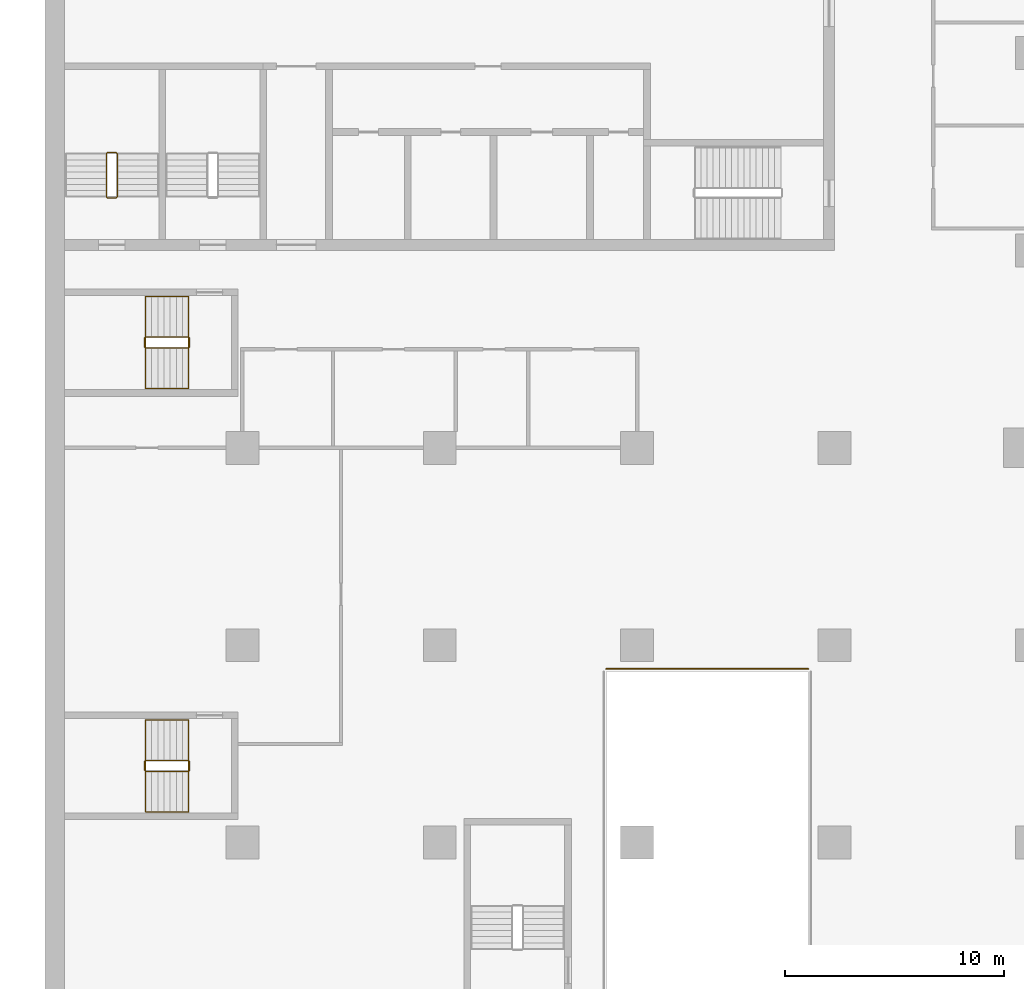
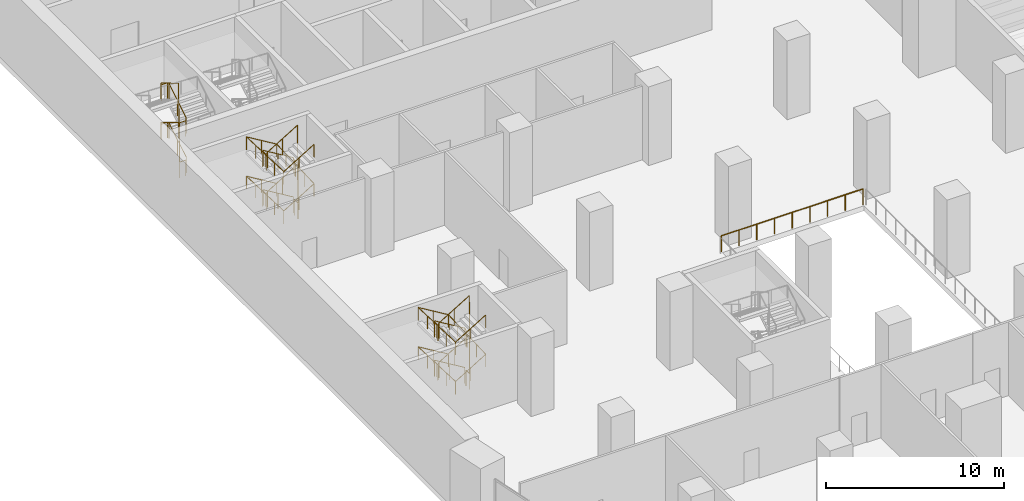
# One storey, part 33 of 44: 6 railings.
"""IFC4 building model written with IfcOpenShell, lengths in metres."""

from ifc_helpers import new_model, si_unit, direction, frame, origin, origin_2d, place, context, subcontext, project, spatial, circle, extrude, material, type_object, element, save


model = new_model("IFC4")

# Units and contexts
model_context = context("Model", 3, precision=1e-05, world=origin(), true_north=direction((0.0, 1.0)))
body_context = subcontext(model_context, "Body", "Model", "MODEL_VIEW")
ifc_project = project(units=[si_unit("LENGTHUNIT", "METRE"), si_unit("AREAUNIT", "SQUARE_METRE"), si_unit("VOLUMEUNIT", "CUBIC_METRE"), si_unit("PLANEANGLEUNIT", "RADIAN"), si_unit("MASSUNIT", "GRAM", prefix="KILO")], contexts=[model_context])

# Site, building, storey
site_placement = place(None, origin())
site = spatial("IfcSite", under=ifc_project, at=site_placement, CompositionType="ELEMENT")
building_placement = place(site_placement, origin())
building = spatial("IfcBuilding", under=site, at=building_placement, Name="Hunhe Ridgeline Campus", CompositionType="ELEMENT")
storey_placement = place(building_placement, frame((0.0, 0.0, 6.0)))
storey = spatial("IfcBuildingStorey", under=building, at=storey_placement, Name="L01", CompositionType="ELEMENT", Elevation=6.0)

# Railings
ifc_material_1 = material(Name="Glass and steel", Category="steel")
railing_type_1 = type_object("IfcRailingType", Name="Atrium glass guard 1100", PredefinedType="GUARDRAIL", material=ifc_material_1)
railing_1_placement = place(storey_placement, frame((34.800048828125, 43.919921875, 0.0)))
element("IfcRailing", 1, at=railing_1_placement, inside=storey, type_object=railing_type_1, Name="L01 atrium guard", PredefinedType="GUARDRAIL", context=body_context, shape_type="SweptSolid", body=[
    extrude(circle(Radius=0.02392578125, at=origin_2d()), frame((0.0, 0.0, 1.076171875), z_axis=(-1.0, 0.0, 0.0), x_axis=(0.0, -1.0, 0.0)), (0.0, 0.0, 1.0), 9.199951171875),
    extrude(circle(Radius=0.02099609375, at=origin_2d()), origin(), (0.0, 0.0, 1.0), 1.052001953125),
    extrude(circle(Radius=0.02099609375, at=origin_2d()), frame((-1.14990234375, 0.0, 0.0)), (0.0, 0.0, 1.0), 1.052001953125),
    extrude(circle(Radius=0.02099609375, at=origin_2d()), frame((-2.300048828125, 0.0, 0.0)), (0.0, 0.0, 1.0), 1.052001953125),
    extrude(circle(Radius=0.02099609375, at=origin_2d()), frame((-3.449951171875, 0.0, 0.0)), (0.0, 0.0, 1.0), 1.052001953125),
    extrude(circle(Radius=0.02099609375, at=origin_2d()), frame((-4.60009765625, 0.0, 0.0)), (0.0, 0.0, 1.0), 1.052001953125),
    extrude(circle(Radius=0.02099609375, at=origin_2d()), frame((-5.75, 0.0, 0.0)), (0.0, 0.0, 1.0), 1.052001953125),
    extrude(circle(Radius=0.02099609375, at=origin_2d()), frame((-6.89990234375, 0.0, 0.0)), (0.0, 0.0, 1.0), 1.052001953125),
    extrude(circle(Radius=0.02099609375, at=origin_2d()), frame((-8.050048828125, 0.0, 0.0)), (0.0, 0.0, 1.0), 1.052001953125),
    extrude(circle(Radius=0.02099609375, at=origin_2d()), frame((-9.199951171875, 0.0, 0.0)), (0.0, 0.0, 1.0), 1.052001953125),
])
ifc_material_2 = material(Name="Stainless steel balustrade", Category="steel")
railing_type_2 = type_object("IfcRailingType", Name="Stair guard 1100 stainless", PredefinedType="GUARDRAIL", material=ifc_material_2)
railing_2_placement = place(storey_placement, frame((3.300048828125, 65.449951171875, 0.168701171875)))
element("IfcRailing", 2, at=railing_2_placement, inside=storey, type_object=railing_type_2, Name="L01 stair S3 guard", PredefinedType="GUARDRAIL", context=body_context, shape_type="SweptSolid", body=[
    extrude(circle(Radius=0.02392578125, at=origin_2d()), frame((0.0, 0.0, 1.076171875), z_axis=(0.0, 0.856446297458, 0.516236127728), x_axis=(-1.0, 0.0, 0.0)), (0.0, 0.0, 1.0), 2.28857421875),
    extrude(circle(Radius=0.02392578125, at=origin_2d()), frame((0.0, 1.9599609375, 2.25732421875), z_axis=(-0.707106781187, 0.707106781187, 0.0), x_axis=(-0.707106781187, -0.707106781187, 0.0)), (0.0, 0.0, 1.0), 0.07080078125),
    extrude(circle(Radius=0.02392578125, at=origin_2d()), frame((-0.050048828125, 2.010009765625, 2.25732421875), z_axis=(-1.0, 0.0, 0.0), x_axis=(0.0, -1.0, 0.0)), (0.0, 0.0, 1.0), 0.39990234375),
    extrude(circle(Radius=0.02392578125, at=origin_2d()), frame((-0.449951171875, 2.010009765625, 2.25732421875), z_axis=(-0.273569069059, -0.273569069059, 0.922127935218), x_axis=(0.707106781187, -0.707106781187, 0.0)), (0.0, 0.0, 1.0), 0.182861328125),
    extrude(circle(Radius=0.02392578125, at=origin_2d()), frame((-0.5, 1.9599609375, 2.42626953125), z_axis=(0.0, -0.856493463811, 0.516157869696), x_axis=(1.0, 0.0, 0.0)), (0.0, 0.0, 1.0), 2.288330078125),
    extrude(circle(Radius=0.02392578125, at=origin_2d()), frame((-0.5, 0.0, 3.607421875), z_axis=(0.707106781187, -0.707106781187, 0.0), x_axis=(0.707106781187, 0.707106781187, 0.0)), (0.0, 0.0, 1.0), 0.07080078125),
    extrude(circle(Radius=0.02392578125, at=origin_2d()), frame((-0.449951171875, -0.050048828125, 3.607421875), z_axis=(1.0, 0.0, 0.0), x_axis=(0.0, 1.0, 0.0)), (0.0, 0.0, 1.0), 0.39990234375),
    extrude(circle(Radius=0.02392578125, at=origin_2d()), frame((-0.050048828125, -0.050048828125, 3.607421875), z_axis=(0.273569069059, 0.273569069059, 0.922127935218), x_axis=(-0.707106781187, 0.707106781187, 0.0)), (0.0, 0.0, 1.0), 0.182861328125),
    extrude(circle(Radius=0.02392578125, at=origin_2d()), frame((0.0, 0.0, 3.77587890625), z_axis=(0.0, 0.856446297458, 0.516236127728), x_axis=(-1.0, 0.0, 0.0)), (0.0, 0.0, 1.0), 2.28857421875),
    extrude(circle(Radius=0.02392578125, at=origin_2d()), frame((0.0, 1.9599609375, 4.95751953125), z_axis=(-0.707106781187, 0.707106781187, 0.0), x_axis=(-0.707106781187, -0.707106781187, 0.0)), (0.0, 0.0, 1.0), 0.07080078125),
    extrude(circle(Radius=0.02392578125, at=origin_2d()), frame((-0.050048828125, 2.010009765625, 4.95751953125), z_axis=(-1.0, 0.0, 0.0), x_axis=(0.0, -1.0, 0.0)), (0.0, 0.0, 1.0), 0.39990234375),
    extrude(circle(Radius=0.02392578125, at=origin_2d()), frame((-0.449951171875, 2.010009765625, 4.95751953125), z_axis=(-0.273569069059, -0.273569069059, 0.922127935218), x_axis=(0.707106781187, -0.707106781187, 0.0)), (0.0, 0.0, 1.0), 0.182861328125),
    extrude(circle(Radius=0.02392578125, at=origin_2d()), frame((-0.5, 1.9599609375, 5.1259765625), z_axis=(0.0, -0.856493463811, 0.516157869696), x_axis=(1.0, 0.0, 0.0)), (0.0, 0.0, 1.0), 2.288330078125),
    extrude(circle(Radius=0.02392578125, at=origin_2d()), frame((-0.5, 0.0, 6.30712890625), z_axis=(0.009267673019, -0.009267673019, -0.999914106548), x_axis=(1.0, 0.0, 0.0)), (0.0, 0.0, 1.0), 5.400390625),
    extrude(circle(Radius=0.02392578125, at=origin_2d()), frame((-0.449951171875, -0.050048828125, 0.9072265625), z_axis=(1.0, 0.0, 0.0), x_axis=(0.0, 1.0, 0.0)), (0.0, 0.0, 1.0), 0.39990234375),
    extrude(circle(Radius=0.02099609375, at=origin_2d()), origin(), (0.0, 0.0, 1.0), 1.052001953125),
    extrude(circle(Radius=0.02099609375, at=origin_2d()), frame((0.0, 0.97998046875, 0.5908203125)), (0.0, 0.0, 1.0), 1.052001953125),
    extrude(circle(Radius=0.02099609375, at=origin_2d()), frame((0.0, 1.9599609375, 1.181396484375)), (0.0, 0.0, 1.0), 1.052001953125),
    extrude(circle(Radius=0.02099609375, at=origin_2d()), frame((-0.050048828125, 2.010009765625, 1.181396484375)), (0.0, 0.0, 1.0), 1.052001953125),
    extrude(circle(Radius=0.02099609375, at=origin_2d()), frame((-0.449951171875, 2.010009765625, 1.181396484375)), (0.0, 0.0, 1.0), 1.052001953125),
    extrude(circle(Radius=0.02099609375, at=origin_2d()), frame((-0.5, 1.9599609375, 1.35009765625)), (0.0, 0.0, 1.0), 1.052001953125),
    extrude(circle(Radius=0.02099609375, at=origin_2d()), frame((-0.5, 0.97998046875, 1.940673828125)), (0.0, 0.0, 1.0), 1.052001953125),
    extrude(circle(Radius=0.02099609375, at=origin_2d()), frame((-0.5, 0.0, 2.53125)), (0.0, 0.0, 1.0), 1.052001953125),
    extrude(circle(Radius=0.02099609375, at=origin_2d()), frame((-0.449951171875, -0.050048828125, 2.53125)), (0.0, 0.0, 1.0), 1.052001953125),
    extrude(circle(Radius=0.02099609375, at=origin_2d()), frame((-0.050048828125, -0.050048828125, 2.53125)), (0.0, 0.0, 1.0), 1.052001953125),
    extrude(circle(Radius=0.02099609375, at=origin_2d()), frame((0.0, 0.0, 2.699951171875)), (0.0, 0.0, 1.0), 1.052001953125),
    extrude(circle(Radius=0.02099609375, at=origin_2d()), frame((0.0, 0.97998046875, 3.29052734375)), (0.0, 0.0, 1.0), 1.052001953125),
    extrude(circle(Radius=0.02099609375, at=origin_2d()), frame((0.0, 1.9599609375, 3.88134765625)), (0.0, 0.0, 1.0), 1.052001953125),
    extrude(circle(Radius=0.02099609375, at=origin_2d()), frame((-0.050048828125, 2.010009765625, 3.88134765625)), (0.0, 0.0, 1.0), 1.052001953125),
    extrude(circle(Radius=0.02099609375, at=origin_2d()), frame((-0.449951171875, 2.010009765625, 3.88134765625)), (0.0, 0.0, 1.0), 1.052001953125),
    extrude(circle(Radius=0.02099609375, at=origin_2d()), frame((-0.5, 1.9599609375, 4.050048828125)), (0.0, 0.0, 1.0), 1.052001953125),
    extrude(circle(Radius=0.02099609375, at=origin_2d()), frame((-0.5, 0.97998046875, 4.640625)), (0.0, 0.0, 1.0), 1.052001953125),
    extrude(circle(Radius=0.02099609375, at=origin_2d()), frame((-0.5, 0.0, 5.231201171875)), (0.0, 0.0, 1.0), 1.052001953125),
    extrude(circle(Radius=0.02099609375, at=origin_2d()), frame((-0.489990234375, -0.010009765625, 4.151123046875)), (0.0, 0.0, 1.0), 1.052001953125),
    extrude(circle(Radius=0.02099609375, at=origin_2d()), frame((-0.47998046875, -0.02001953125, 3.0712890625)), (0.0, 0.0, 1.0), 1.052001953125),
    extrude(circle(Radius=0.02099609375, at=origin_2d()), frame((-0.469970703125, -0.030029296875, 1.9912109375)), (0.0, 0.0, 1.0), 1.052001953125),
    extrude(circle(Radius=0.02099609375, at=origin_2d()), frame((-0.4599609375, -0.0400390625, 0.911376953125)), (0.0, 0.0, 1.0), 1.052001953125),
    extrude(circle(Radius=0.02099609375, at=origin_2d()), frame((-0.449951171875, -0.050048828125, -0.168701171875)), (0.0, 0.0, 1.0), 1.052001953125),
    extrude(circle(Radius=0.02099609375, at=origin_2d()), frame((-0.050048828125, -0.050048828125, -0.168701171875)), (0.0, 0.0, 1.0), 1.052001953125),
])
railing_3_placement = place(storey_placement, frame((6.550048828125, 39.75, 0.168701171875)))
element("IfcRailing", 3, at=railing_3_placement, inside=storey, type_object=railing_type_2, Name="L01 stair W1 guard", PredefinedType="GUARDRAIL", context=body_context, shape_type="SweptSolid", body=[
    extrude(circle(Radius=0.02392578125, at=origin_2d()), frame((0.0, 0.0, 1.076171875), z_axis=(-0.856446297458, 0.0, 0.516236127728), x_axis=(0.0, -1.0, 0.0)), (0.0, 0.0, 1.0), 2.28857421875),
    extrude(circle(Radius=0.02392578125, at=origin_2d()), frame((-1.9599609375, 0.0, 2.25732421875), z_axis=(-0.707106781187, -0.707106781187, 0.0), x_axis=(0.707106781187, -0.707106781187, 0.0)), (0.0, 0.0, 1.0), 0.07080078125),
    extrude(circle(Radius=0.02392578125, at=origin_2d()), frame((-2.010009765625, -0.050048828125, 2.25732421875), z_axis=(0.0, -1.0, 0.0), x_axis=(1.0, 0.0, 0.0)), (0.0, 0.0, 1.0), 0.39990234375),
    extrude(circle(Radius=0.02392578125, at=origin_2d()), frame((-2.010009765625, -0.449951171875, 2.25732421875), z_axis=(0.273569069059, -0.273569069059, 0.922127935218), x_axis=(0.707106781187, 0.707106781187, 0.0)), (0.0, 0.0, 1.0), 0.182861328125),
    extrude(circle(Radius=0.02392578125, at=origin_2d()), frame((-1.9599609375, -0.5, 2.42626953125), z_axis=(0.856493463811, 0.0, 0.516157869696), x_axis=(0.0, 1.0, 0.0)), (0.0, 0.0, 1.0), 2.288330078125),
    extrude(circle(Radius=0.02392578125, at=origin_2d()), frame((0.0, -0.5, 3.607421875), z_axis=(0.707106781187, 0.707106781187, 0.0), x_axis=(-0.707106781187, 0.707106781187, 0.0)), (0.0, 0.0, 1.0), 0.07080078125),
    extrude(circle(Radius=0.02392578125, at=origin_2d()), frame((0.050048828125, -0.449951171875, 3.607421875), z_axis=(0.0, 1.0, 0.0), x_axis=(-1.0, 0.0, 0.0)), (0.0, 0.0, 1.0), 0.39990234375),
    extrude(circle(Radius=0.02392578125, at=origin_2d()), frame((0.050048828125, -0.050048828125, 3.607421875), z_axis=(-0.273569069059, 0.273569069059, 0.922127935218), x_axis=(-0.707106781187, -0.707106781187, 0.0)), (0.0, 0.0, 1.0), 0.182861328125),
    extrude(circle(Radius=0.02392578125, at=origin_2d()), frame((0.0, 0.0, 3.77587890625), z_axis=(-0.856446297458, 0.0, 0.516236127728), x_axis=(0.0, -1.0, 0.0)), (0.0, 0.0, 1.0), 2.28857421875),
    extrude(circle(Radius=0.02392578125, at=origin_2d()), frame((-1.9599609375, 0.0, 4.95751953125), z_axis=(-0.707106781187, -0.707106781187, 0.0), x_axis=(0.707106781187, -0.707106781187, 0.0)), (0.0, 0.0, 1.0), 0.07080078125),
    extrude(circle(Radius=0.02392578125, at=origin_2d()), frame((-2.010009765625, -0.050048828125, 4.95751953125), z_axis=(0.0, -1.0, 0.0), x_axis=(1.0, 0.0, 0.0)), (0.0, 0.0, 1.0), 0.39990234375),
    extrude(circle(Radius=0.02392578125, at=origin_2d()), frame((-2.010009765625, -0.449951171875, 4.95751953125), z_axis=(0.273569069059, -0.273569069059, 0.922127935218), x_axis=(0.707106781187, 0.707106781187, 0.0)), (0.0, 0.0, 1.0), 0.182861328125),
    extrude(circle(Radius=0.02392578125, at=origin_2d()), frame((-1.9599609375, -0.5, 5.1259765625), z_axis=(0.856493463811, 0.0, 0.516157869696), x_axis=(0.0, 1.0, 0.0)), (0.0, 0.0, 1.0), 2.288330078125),
    extrude(circle(Radius=0.02392578125, at=origin_2d()), frame((0.0, -0.5, 6.30712890625), z_axis=(0.009267673019, 0.009267673019, -0.999914106548), x_axis=(1.0, 0.0, 0.0)), (0.0, 0.0, 1.0), 5.400390625),
    extrude(circle(Radius=0.02392578125, at=origin_2d()), frame((0.050048828125, -0.449951171875, 0.9072265625), z_axis=(0.0, 1.0, 0.0), x_axis=(-1.0, 0.0, 0.0)), (0.0, 0.0, 1.0), 0.39990234375),
    extrude(circle(Radius=0.02099609375, at=origin_2d()), origin(), (0.0, 0.0, 1.0), 1.052001953125),
    extrude(circle(Radius=0.02099609375, at=origin_2d()), frame((-0.97998046875, 0.0, 0.5908203125)), (0.0, 0.0, 1.0), 1.052001953125),
    extrude(circle(Radius=0.02099609375, at=origin_2d()), frame((-1.9599609375, 0.0, 1.181396484375)), (0.0, 0.0, 1.0), 1.052001953125),
    extrude(circle(Radius=0.02099609375, at=origin_2d()), frame((-2.010009765625, -0.050048828125, 1.181396484375)), (0.0, 0.0, 1.0), 1.052001953125),
    extrude(circle(Radius=0.02099609375, at=origin_2d()), frame((-2.010009765625, -0.449951171875, 1.181396484375)), (0.0, 0.0, 1.0), 1.052001953125),
    extrude(circle(Radius=0.02099609375, at=origin_2d()), frame((-1.9599609375, -0.5, 1.35009765625)), (0.0, 0.0, 1.0), 1.052001953125),
    extrude(circle(Radius=0.02099609375, at=origin_2d()), frame((-0.97998046875, -0.5, 1.940673828125)), (0.0, 0.0, 1.0), 1.052001953125),
    extrude(circle(Radius=0.02099609375, at=origin_2d()), frame((0.0, -0.5, 2.53125)), (0.0, 0.0, 1.0), 1.052001953125),
    extrude(circle(Radius=0.02099609375, at=origin_2d()), frame((0.050048828125, -0.449951171875, 2.53125)), (0.0, 0.0, 1.0), 1.052001953125),
    extrude(circle(Radius=0.02099609375, at=origin_2d()), frame((0.050048828125, -0.050048828125, 2.53125)), (0.0, 0.0, 1.0), 1.052001953125),
    extrude(circle(Radius=0.02099609375, at=origin_2d()), frame((0.0, 0.0, 2.699951171875)), (0.0, 0.0, 1.0), 1.052001953125),
    extrude(circle(Radius=0.02099609375, at=origin_2d()), frame((-0.97998046875, 0.0, 3.29052734375)), (0.0, 0.0, 1.0), 1.052001953125),
    extrude(circle(Radius=0.02099609375, at=origin_2d()), frame((-1.9599609375, 0.0, 3.88134765625)), (0.0, 0.0, 1.0), 1.052001953125),
    extrude(circle(Radius=0.02099609375, at=origin_2d()), frame((-2.010009765625, -0.050048828125, 3.88134765625)), (0.0, 0.0, 1.0), 1.052001953125),
    extrude(circle(Radius=0.02099609375, at=origin_2d()), frame((-2.010009765625, -0.449951171875, 3.88134765625)), (0.0, 0.0, 1.0), 1.052001953125),
    extrude(circle(Radius=0.02099609375, at=origin_2d()), frame((-1.9599609375, -0.5, 4.050048828125)), (0.0, 0.0, 1.0), 1.052001953125),
    extrude(circle(Radius=0.02099609375, at=origin_2d()), frame((-0.97998046875, -0.5, 4.640625)), (0.0, 0.0, 1.0), 1.052001953125),
    extrude(circle(Radius=0.02099609375, at=origin_2d()), frame((0.0, -0.5, 5.231201171875)), (0.0, 0.0, 1.0), 1.052001953125),
    extrude(circle(Radius=0.02099609375, at=origin_2d()), frame((0.010009765625, -0.489990234375, 4.151123046875)), (0.0, 0.0, 1.0), 1.052001953125),
    extrude(circle(Radius=0.02099609375, at=origin_2d()), frame((0.02001953125, -0.47998046875, 3.0712890625)), (0.0, 0.0, 1.0), 1.052001953125),
    extrude(circle(Radius=0.02099609375, at=origin_2d()), frame((0.030029296875, -0.469970703125, 1.9912109375)), (0.0, 0.0, 1.0), 1.052001953125),
    extrude(circle(Radius=0.02099609375, at=origin_2d()), frame((0.0400390625, -0.4599609375, 0.911376953125)), (0.0, 0.0, 1.0), 1.052001953125),
    extrude(circle(Radius=0.02099609375, at=origin_2d()), frame((0.050048828125, -0.449951171875, -0.168701171875)), (0.0, 0.0, 1.0), 1.052001953125),
    extrude(circle(Radius=0.02099609375, at=origin_2d()), frame((0.050048828125, -0.050048828125, -0.168701171875)), (0.0, 0.0, 1.0), 1.052001953125),
])
railing_4_placement = place(storey_placement, frame((6.550048828125, 59.050048828125, 0.168701171875)))
element("IfcRailing", 4, at=railing_4_placement, inside=storey, type_object=railing_type_2, Name="L01 stair W2 guard", PredefinedType="GUARDRAIL", context=body_context, shape_type="SweptSolid", body=[
    extrude(circle(Radius=0.02392578125, at=origin_2d()), frame((0.0, 0.0, 1.076171875), z_axis=(-0.856446297458, 0.0, 0.516236127728), x_axis=(0.0, -1.0, 0.0)), (0.0, 0.0, 1.0), 2.28857421875),
    extrude(circle(Radius=0.02392578125, at=origin_2d()), frame((-1.9599609375, 0.0, 2.25732421875), z_axis=(-0.707106781187, -0.707106781187, 0.0), x_axis=(0.707106781187, -0.707106781187, 0.0)), (0.0, 0.0, 1.0), 0.07080078125),
    extrude(circle(Radius=0.02392578125, at=origin_2d()), frame((-2.010009765625, -0.050048828125, 2.25732421875), z_axis=(0.0, -1.0, 0.0), x_axis=(1.0, 0.0, 0.0)), (0.0, 0.0, 1.0), 0.39990234375),
    extrude(circle(Radius=0.02392578125, at=origin_2d()), frame((-2.010009765625, -0.449951171875, 2.25732421875), z_axis=(0.273569069059, -0.273569069059, 0.922127935218), x_axis=(0.707106781187, 0.707106781187, 0.0)), (0.0, 0.0, 1.0), 0.182861328125),
    extrude(circle(Radius=0.02392578125, at=origin_2d()), frame((-1.9599609375, -0.5, 2.42626953125), z_axis=(0.856493463811, 0.0, 0.516157869696), x_axis=(0.0, 1.0, 0.0)), (0.0, 0.0, 1.0), 2.288330078125),
    extrude(circle(Radius=0.02392578125, at=origin_2d()), frame((0.0, -0.5, 3.607421875), z_axis=(0.707106781187, 0.707106781187, 0.0), x_axis=(-0.707106781187, 0.707106781187, 0.0)), (0.0, 0.0, 1.0), 0.07080078125),
    extrude(circle(Radius=0.02392578125, at=origin_2d()), frame((0.050048828125, -0.449951171875, 3.607421875), z_axis=(0.0, 1.0, 0.0), x_axis=(-1.0, 0.0, 0.0)), (0.0, 0.0, 1.0), 0.39990234375),
    extrude(circle(Radius=0.02392578125, at=origin_2d()), frame((0.050048828125, -0.050048828125, 3.607421875), z_axis=(-0.273569069059, 0.273569069059, 0.922127935218), x_axis=(-0.707106781187, -0.707106781187, 0.0)), (0.0, 0.0, 1.0), 0.182861328125),
    extrude(circle(Radius=0.02392578125, at=origin_2d()), frame((0.0, 0.0, 3.77587890625), z_axis=(-0.856446297458, 0.0, 0.516236127728), x_axis=(0.0, -1.0, 0.0)), (0.0, 0.0, 1.0), 2.28857421875),
    extrude(circle(Radius=0.02392578125, at=origin_2d()), frame((-1.9599609375, 0.0, 4.95751953125), z_axis=(-0.707106781187, -0.707106781187, 0.0), x_axis=(0.707106781187, -0.707106781187, 0.0)), (0.0, 0.0, 1.0), 0.07080078125),
    extrude(circle(Radius=0.02392578125, at=origin_2d()), frame((-2.010009765625, -0.050048828125, 4.95751953125), z_axis=(0.0, -1.0, 0.0), x_axis=(1.0, 0.0, 0.0)), (0.0, 0.0, 1.0), 0.39990234375),
    extrude(circle(Radius=0.02392578125, at=origin_2d()), frame((-2.010009765625, -0.449951171875, 4.95751953125), z_axis=(0.273569069059, -0.273569069059, 0.922127935218), x_axis=(0.707106781187, 0.707106781187, 0.0)), (0.0, 0.0, 1.0), 0.182861328125),
    extrude(circle(Radius=0.02392578125, at=origin_2d()), frame((-1.9599609375, -0.5, 5.1259765625), z_axis=(0.856493463811, 0.0, 0.516157869696), x_axis=(0.0, 1.0, 0.0)), (0.0, 0.0, 1.0), 2.288330078125),
    extrude(circle(Radius=0.02392578125, at=origin_2d()), frame((0.0, -0.5, 6.30712890625), z_axis=(0.009267673019, 0.009267673019, -0.999914106548), x_axis=(1.0, 0.0, 0.0)), (0.0, 0.0, 1.0), 5.400390625),
    extrude(circle(Radius=0.02392578125, at=origin_2d()), frame((0.050048828125, -0.449951171875, 0.9072265625), z_axis=(0.0, 1.0, 0.0), x_axis=(-1.0, 0.0, 0.0)), (0.0, 0.0, 1.0), 0.39990234375),
    extrude(circle(Radius=0.02099609375, at=origin_2d()), origin(), (0.0, 0.0, 1.0), 1.052001953125),
    extrude(circle(Radius=0.02099609375, at=origin_2d()), frame((-0.97998046875, 0.0, 0.5908203125)), (0.0, 0.0, 1.0), 1.052001953125),
    extrude(circle(Radius=0.02099609375, at=origin_2d()), frame((-1.9599609375, 0.0, 1.181396484375)), (0.0, 0.0, 1.0), 1.052001953125),
    extrude(circle(Radius=0.02099609375, at=origin_2d()), frame((-2.010009765625, -0.050048828125, 1.181396484375)), (0.0, 0.0, 1.0), 1.052001953125),
    extrude(circle(Radius=0.02099609375, at=origin_2d()), frame((-2.010009765625, -0.449951171875, 1.181396484375)), (0.0, 0.0, 1.0), 1.052001953125),
    extrude(circle(Radius=0.02099609375, at=origin_2d()), frame((-1.9599609375, -0.5, 1.35009765625)), (0.0, 0.0, 1.0), 1.052001953125),
    extrude(circle(Radius=0.02099609375, at=origin_2d()), frame((-0.97998046875, -0.5, 1.940673828125)), (0.0, 0.0, 1.0), 1.052001953125),
    extrude(circle(Radius=0.02099609375, at=origin_2d()), frame((0.0, -0.5, 2.53125)), (0.0, 0.0, 1.0), 1.052001953125),
    extrude(circle(Radius=0.02099609375, at=origin_2d()), frame((0.050048828125, -0.449951171875, 2.53125)), (0.0, 0.0, 1.0), 1.052001953125),
    extrude(circle(Radius=0.02099609375, at=origin_2d()), frame((0.050048828125, -0.050048828125, 2.53125)), (0.0, 0.0, 1.0), 1.052001953125),
    extrude(circle(Radius=0.02099609375, at=origin_2d()), frame((0.0, 0.0, 2.699951171875)), (0.0, 0.0, 1.0), 1.052001953125),
    extrude(circle(Radius=0.02099609375, at=origin_2d()), frame((-0.97998046875, 0.0, 3.29052734375)), (0.0, 0.0, 1.0), 1.052001953125),
    extrude(circle(Radius=0.02099609375, at=origin_2d()), frame((-1.9599609375, 0.0, 3.88134765625)), (0.0, 0.0, 1.0), 1.052001953125),
    extrude(circle(Radius=0.02099609375, at=origin_2d()), frame((-2.010009765625, -0.050048828125, 3.88134765625)), (0.0, 0.0, 1.0), 1.052001953125),
    extrude(circle(Radius=0.02099609375, at=origin_2d()), frame((-2.010009765625, -0.449951171875, 3.88134765625)), (0.0, 0.0, 1.0), 1.052001953125),
    extrude(circle(Radius=0.02099609375, at=origin_2d()), frame((-1.9599609375, -0.5, 4.050048828125)), (0.0, 0.0, 1.0), 1.052001953125),
    extrude(circle(Radius=0.02099609375, at=origin_2d()), frame((-0.97998046875, -0.5, 4.640625)), (0.0, 0.0, 1.0), 1.052001953125),
    extrude(circle(Radius=0.02099609375, at=origin_2d()), frame((0.0, -0.5, 5.231201171875)), (0.0, 0.0, 1.0), 1.052001953125),
    extrude(circle(Radius=0.02099609375, at=origin_2d()), frame((0.010009765625, -0.489990234375, 4.151123046875)), (0.0, 0.0, 1.0), 1.052001953125),
    extrude(circle(Radius=0.02099609375, at=origin_2d()), frame((0.02001953125, -0.47998046875, 3.0712890625)), (0.0, 0.0, 1.0), 1.052001953125),
    extrude(circle(Radius=0.02099609375, at=origin_2d()), frame((0.030029296875, -0.469970703125, 1.9912109375)), (0.0, 0.0, 1.0), 1.052001953125),
    extrude(circle(Radius=0.02099609375, at=origin_2d()), frame((0.0400390625, -0.4599609375, 0.911376953125)), (0.0, 0.0, 1.0), 1.052001953125),
    extrude(circle(Radius=0.02099609375, at=origin_2d()), frame((0.050048828125, -0.449951171875, -0.168701171875)), (0.0, 0.0, 1.0), 1.052001953125),
    extrude(circle(Radius=0.02099609375, at=origin_2d()), frame((0.050048828125, -0.050048828125, -0.168701171875)), (0.0, 0.0, 1.0), 1.052001953125),
])
ifc_material_3 = material(Name="Stainless steel handrail", Category="steel")
railing_type_3 = type_object("IfcRailingType", Name="Stair handrail 900 stainless", PredefinedType="HANDRAIL", material=ifc_material_3)
railing_5_placement = place(storey_placement, frame((6.550048828125, 41.60009765625, 0.168701171875)))
element("IfcRailing", 5, at=railing_5_placement, inside=storey, type_object=railing_type_3, Name="L01 stair W1 handrail", PredefinedType="HANDRAIL", context=body_context, shape_type="SweptSolid", body=[
    extrude(circle(Radius=0.02392578125, at=origin_2d()), frame((0.0, 0.0, 0.8759765625), z_axis=(-0.856446297458, 0.0, 0.516236127728), x_axis=(0.0, -1.0, 0.0)), (0.0, 0.0, 1.0), 2.28857421875),
    extrude(circle(Radius=0.02392578125, at=origin_2d()), frame((-1.9599609375, 0.0, 2.05712890625), z_axis=(0.0, -0.999194357895, 0.040132719211), x_axis=(1.0, 0.0, 0.0)), (0.0, 0.0, 1.0), 4.20361328125),
    extrude(circle(Radius=0.02392578125, at=origin_2d()), frame((-1.9599609375, -4.2001953125, 2.22607421875), z_axis=(0.856493463811, 0.0, 0.516157869696), x_axis=(0.0, 1.0, 0.0)), (0.0, 0.0, 1.0), 2.288330078125),
    extrude(circle(Radius=0.02392578125, at=origin_2d()), frame((0.0, -4.2001953125, 3.4072265625), z_axis=(0.0, 0.999194357895, 0.040132719211), x_axis=(-1.0, 0.0, 0.0)), (0.0, 0.0, 1.0), 4.20361328125),
    extrude(circle(Radius=0.02392578125, at=origin_2d()), frame((0.0, 0.0, 3.57568359375), z_axis=(-0.856446297458, 0.0, 0.516236127728), x_axis=(0.0, -1.0, 0.0)), (0.0, 0.0, 1.0), 2.28857421875),
    extrude(circle(Radius=0.02392578125, at=origin_2d()), frame((-1.9599609375, 0.0, 4.75732421875), z_axis=(0.0, -0.999194357895, 0.040132719211), x_axis=(1.0, 0.0, 0.0)), (0.0, 0.0, 1.0), 4.20361328125),
    extrude(circle(Radius=0.02392578125, at=origin_2d()), frame((-1.9599609375, -4.2001953125, 4.92578125), z_axis=(0.856493463811, 0.0, 0.516157869696), x_axis=(0.0, 1.0, 0.0)), (0.0, 0.0, 1.0), 2.288330078125),
    extrude(circle(Radius=0.02099609375, at=origin_2d()), origin(), (0.0, 0.0, 1.0), 0.851806640625),
    extrude(circle(Radius=0.02099609375, at=origin_2d()), frame((-0.97998046875, 0.0, 0.5908203125)), (0.0, 0.0, 1.0), 0.851806640625),
    extrude(circle(Radius=0.02099609375, at=origin_2d()), frame((-1.9599609375, 0.0, 1.181396484375)), (0.0, 0.0, 1.0), 0.851806640625),
    extrude(circle(Radius=0.02099609375, at=origin_2d()), frame((-1.9599609375, -1.050048828125, 1.2236328125)), (0.0, 0.0, 1.0), 0.851806640625),
    extrude(circle(Radius=0.02099609375, at=origin_2d()), frame((-1.9599609375, -2.10009765625, 1.265625)), (0.0, 0.0, 1.0), 0.851806640625),
    extrude(circle(Radius=0.02099609375, at=origin_2d()), frame((-1.9599609375, -3.150146484375, 1.307861328125)), (0.0, 0.0, 1.0), 0.851806640625),
    extrude(circle(Radius=0.02099609375, at=origin_2d()), frame((-1.9599609375, -4.2001953125, 1.35009765625)), (0.0, 0.0, 1.0), 0.851806640625),
    extrude(circle(Radius=0.02099609375, at=origin_2d()), frame((-0.97998046875, -4.2001953125, 1.940673828125)), (0.0, 0.0, 1.0), 0.851806640625),
    extrude(circle(Radius=0.02099609375, at=origin_2d()), frame((0.0, -4.2001953125, 2.53125)), (0.0, 0.0, 1.0), 0.851806640625),
    extrude(circle(Radius=0.02099609375, at=origin_2d()), frame((0.0, -3.150146484375, 2.573486328125)), (0.0, 0.0, 1.0), 0.851806640625),
    extrude(circle(Radius=0.02099609375, at=origin_2d()), frame((0.0, -2.10009765625, 2.61572265625)), (0.0, 0.0, 1.0), 0.851806640625),
    extrude(circle(Radius=0.02099609375, at=origin_2d()), frame((0.0, -1.050048828125, 2.65771484375)), (0.0, 0.0, 1.0), 0.851806640625),
    extrude(circle(Radius=0.02099609375, at=origin_2d()), frame((0.0, 0.0, 2.699951171875)), (0.0, 0.0, 1.0), 0.851806640625),
    extrude(circle(Radius=0.02099609375, at=origin_2d()), frame((-0.97998046875, 0.0, 3.29052734375)), (0.0, 0.0, 1.0), 0.851806640625),
    extrude(circle(Radius=0.02099609375, at=origin_2d()), frame((-1.9599609375, 0.0, 3.88134765625)), (0.0, 0.0, 1.0), 0.851806640625),
    extrude(circle(Radius=0.02099609375, at=origin_2d()), frame((-1.9599609375, -1.050048828125, 3.923583984375)), (0.0, 0.0, 1.0), 0.851806640625),
    extrude(circle(Radius=0.02099609375, at=origin_2d()), frame((-1.9599609375, -2.10009765625, 3.9658203125)), (0.0, 0.0, 1.0), 0.851806640625),
    extrude(circle(Radius=0.02099609375, at=origin_2d()), frame((-1.9599609375, -3.150146484375, 4.0078125)), (0.0, 0.0, 1.0), 0.851806640625),
    extrude(circle(Radius=0.02099609375, at=origin_2d()), frame((-1.9599609375, -4.2001953125, 4.050048828125)), (0.0, 0.0, 1.0), 0.851806640625),
    extrude(circle(Radius=0.02099609375, at=origin_2d()), frame((-0.97998046875, -4.2001953125, 4.640625)), (0.0, 0.0, 1.0), 0.851806640625),
    extrude(circle(Radius=0.02099609375, at=origin_2d()), frame((0.0, -4.2001953125, 5.231201171875)), (0.0, 0.0, 1.0), 0.851806640625),
])
railing_6_placement = place(storey_placement, frame((6.550048828125, 60.89990234375, 0.168701171875)))
element("IfcRailing", 6, at=railing_6_placement, inside=storey, type_object=railing_type_3, Name="L01 stair W2 handrail", PredefinedType="HANDRAIL", context=body_context, shape_type="SweptSolid", body=[
    extrude(circle(Radius=0.02392578125, at=origin_2d()), frame((0.0, 0.0, 0.8759765625), z_axis=(-0.856446297458, 0.0, 0.516236127728), x_axis=(0.0, -1.0, 0.0)), (0.0, 0.0, 1.0), 2.28857421875),
    extrude(circle(Radius=0.02392578125, at=origin_2d()), frame((-1.9599609375, 0.0, 2.05712890625), z_axis=(0.0, -0.999194264342, 0.040135048344), x_axis=(1.0, 0.0, 0.0)), (0.0, 0.0, 1.0), 4.203369140625),
    extrude(circle(Radius=0.02392578125, at=origin_2d()), frame((-1.9599609375, -4.199951171875, 2.22607421875), z_axis=(0.856493463811, 0.0, 0.516157869696), x_axis=(0.0, 1.0, 0.0)), (0.0, 0.0, 1.0), 2.288330078125),
    extrude(circle(Radius=0.02392578125, at=origin_2d()), frame((0.0, -4.199951171875, 3.4072265625), z_axis=(0.0, 0.999194264342, 0.040135048344), x_axis=(-1.0, 0.0, 0.0)), (0.0, 0.0, 1.0), 4.203369140625),
    extrude(circle(Radius=0.02392578125, at=origin_2d()), frame((0.0, 0.0, 3.57568359375), z_axis=(-0.856446297458, 0.0, 0.516236127728), x_axis=(0.0, -1.0, 0.0)), (0.0, 0.0, 1.0), 2.28857421875),
    extrude(circle(Radius=0.02392578125, at=origin_2d()), frame((-1.9599609375, 0.0, 4.75732421875), z_axis=(0.0, -0.999194264342, 0.040135048344), x_axis=(1.0, 0.0, 0.0)), (0.0, 0.0, 1.0), 4.203369140625),
    extrude(circle(Radius=0.02392578125, at=origin_2d()), frame((-1.9599609375, -4.199951171875, 4.92578125), z_axis=(0.856493463811, 0.0, 0.516157869696), x_axis=(0.0, 1.0, 0.0)), (0.0, 0.0, 1.0), 2.288330078125),
    extrude(circle(Radius=0.02099609375, at=origin_2d()), origin(), (0.0, 0.0, 1.0), 0.851806640625),
    extrude(circle(Radius=0.02099609375, at=origin_2d()), frame((-0.97998046875, 0.0, 0.5908203125)), (0.0, 0.0, 1.0), 0.851806640625),
    extrude(circle(Radius=0.02099609375, at=origin_2d()), frame((-1.9599609375, 0.0, 1.181396484375)), (0.0, 0.0, 1.0), 0.851806640625),
    extrude(circle(Radius=0.02099609375, at=origin_2d()), frame((-1.9599609375, -1.050048828125, 1.2236328125)), (0.0, 0.0, 1.0), 0.851806640625),
    extrude(circle(Radius=0.02099609375, at=origin_2d()), frame((-1.9599609375, -2.10009765625, 1.265625)), (0.0, 0.0, 1.0), 0.851806640625),
    extrude(circle(Radius=0.02099609375, at=origin_2d()), frame((-1.9599609375, -3.14990234375, 1.307861328125)), (0.0, 0.0, 1.0), 0.851806640625),
    extrude(circle(Radius=0.02099609375, at=origin_2d()), frame((-1.9599609375, -4.199951171875, 1.35009765625)), (0.0, 0.0, 1.0), 0.851806640625),
    extrude(circle(Radius=0.02099609375, at=origin_2d()), frame((-0.97998046875, -4.199951171875, 1.940673828125)), (0.0, 0.0, 1.0), 0.851806640625),
    extrude(circle(Radius=0.02099609375, at=origin_2d()), frame((0.0, -4.199951171875, 2.53125)), (0.0, 0.0, 1.0), 0.851806640625),
    extrude(circle(Radius=0.02099609375, at=origin_2d()), frame((0.0, -3.14990234375, 2.573486328125)), (0.0, 0.0, 1.0), 0.851806640625),
    extrude(circle(Radius=0.02099609375, at=origin_2d()), frame((0.0, -2.10009765625, 2.61572265625)), (0.0, 0.0, 1.0), 0.851806640625),
    extrude(circle(Radius=0.02099609375, at=origin_2d()), frame((0.0, -1.050048828125, 2.65771484375)), (0.0, 0.0, 1.0), 0.851806640625),
    extrude(circle(Radius=0.02099609375, at=origin_2d()), frame((0.0, 0.0, 2.699951171875)), (0.0, 0.0, 1.0), 0.851806640625),
    extrude(circle(Radius=0.02099609375, at=origin_2d()), frame((-0.97998046875, 0.0, 3.29052734375)), (0.0, 0.0, 1.0), 0.851806640625),
    extrude(circle(Radius=0.02099609375, at=origin_2d()), frame((-1.9599609375, 0.0, 3.88134765625)), (0.0, 0.0, 1.0), 0.851806640625),
    extrude(circle(Radius=0.02099609375, at=origin_2d()), frame((-1.9599609375, -1.050048828125, 3.923583984375)), (0.0, 0.0, 1.0), 0.851806640625),
    extrude(circle(Radius=0.02099609375, at=origin_2d()), frame((-1.9599609375, -2.10009765625, 3.9658203125)), (0.0, 0.0, 1.0), 0.851806640625),
    extrude(circle(Radius=0.02099609375, at=origin_2d()), frame((-1.9599609375, -3.14990234375, 4.0078125)), (0.0, 0.0, 1.0), 0.851806640625),
    extrude(circle(Radius=0.02099609375, at=origin_2d()), frame((-1.9599609375, -4.199951171875, 4.050048828125)), (0.0, 0.0, 1.0), 0.851806640625),
    extrude(circle(Radius=0.02099609375, at=origin_2d()), frame((-0.97998046875, -4.199951171875, 4.640625)), (0.0, 0.0, 1.0), 0.851806640625),
    extrude(circle(Radius=0.02099609375, at=origin_2d()), frame((0.0, -4.199951171875, 5.231201171875)), (0.0, 0.0, 1.0), 0.851806640625),
])

save(model, "model.ifc")
